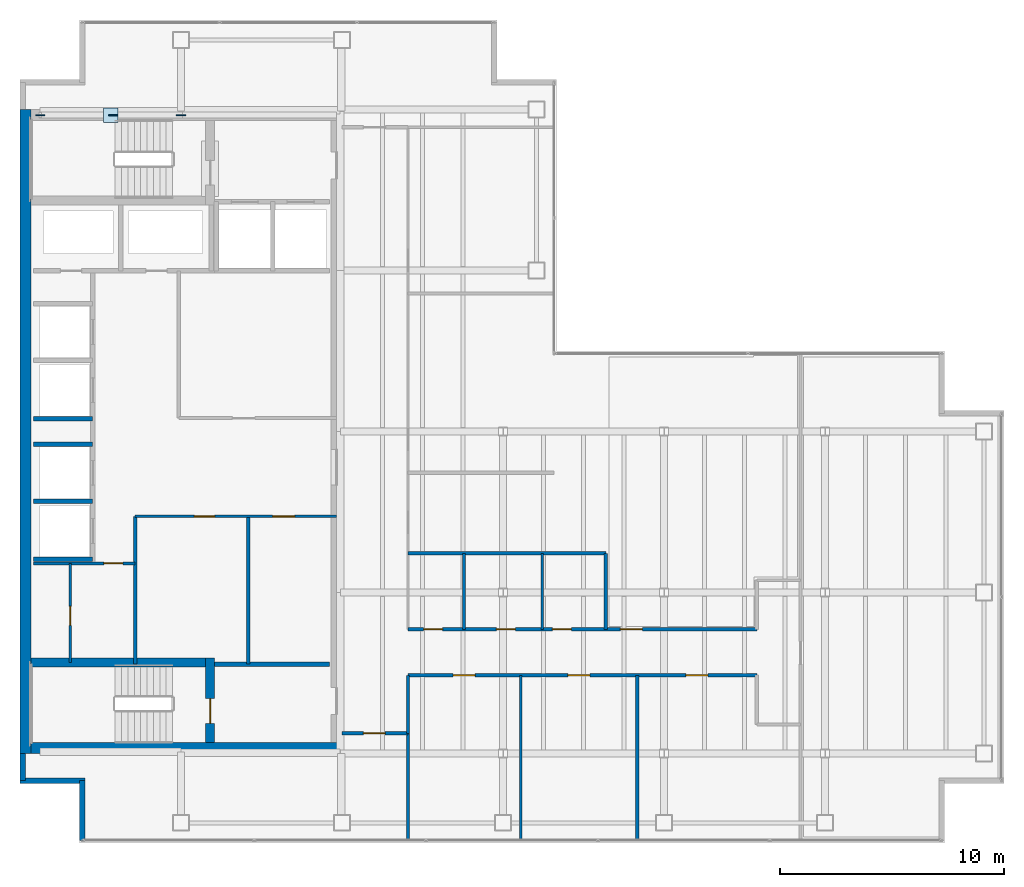
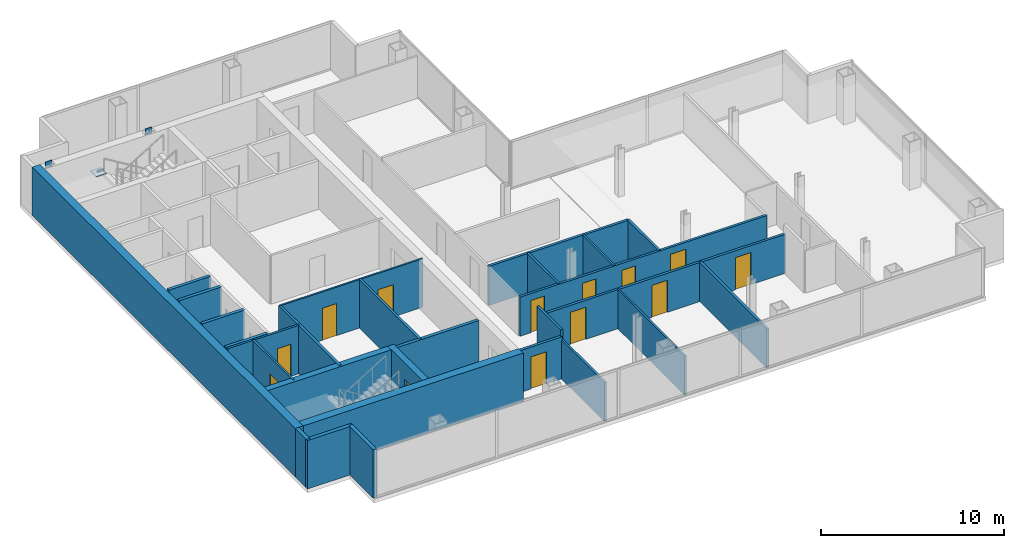
# One storey, part 20 of 23: 28 walls, 13 doors, 4 plates, 13 openings.
"""IFC4 building model written with IfcOpenShell, lengths in metres."""

from ifc_helpers import new_model, si_unit, direction, frame, frame_2d, origin, origin_2d, place, context, subcontext, project, spatial, rectangle, extrude, material, layer, layer_set, type_object, element, fill, save


model = new_model("IFC4")

# Units and contexts
model_context = context("Model", 3, precision=1e-05, world=origin(), true_north=direction((0.0, 1.0)))
body_context = subcontext(model_context, "Body", "Model", "MODEL_VIEW")
ifc_project = project(units=[si_unit("LENGTHUNIT", "METRE"), si_unit("AREAUNIT", "SQUARE_METRE"), si_unit("VOLUMEUNIT", "CUBIC_METRE"), si_unit("PLANEANGLEUNIT", "RADIAN"), si_unit("MASSUNIT", "GRAM", prefix="KILO")], contexts=[model_context])

# Site, building, storey
site_placement = place(None, origin())
site = spatial("IfcSite", under=ifc_project, at=site_placement, CompositionType="ELEMENT")
building_placement = place(site_placement, origin())
building = spatial("IfcBuilding", under=site, at=building_placement, Name="Cobrela Telecom Tower", CompositionType="ELEMENT")
storey_placement = place(building_placement, frame((0.0, 0.0, 218.75)))
storey = spatial("IfcBuildingStorey", under=building, at=storey_placement, Name="L56", CompositionType="ELEMENT", Elevation=218.75)

# Plates
ifc_material_1 = material(Name="Steel ASTM A572 Grade 50", Category="steel")
ifc_layer_1 = layer(ifc_material_1, 0.0419921875)
ifc_layer_set_1 = layer_set([ifc_layer_1], Name="Steel ASTM A572 Grade 50")
plate_type = type_object("IfcPlateType", Name="PLT-NODE-ND1", PredefinedType="USERDEFINED", material=ifc_layer_set_1)
for number, where, z_axis, x_axis, name in (
    (1, (7.199951171875, 35.75, 3.0751953125), (0.0, 0.0, 1.0), (1.0, 0.0, 0.0), "Steel node plate PLT-MBR-EXO-L56-N1-A-1"),
    (2, (4.173828125, 35.75, 1.349609375), (0.0, 0.0, 1.0), (-1.0, 0.0, 0.0), "Steel node plate PLT-MBR-EXO-L56-N1-B1-1"),
    (3, (0.89990234375, 35.75, 3.0751953125), (0.0, 0.0, 1.0), (-1.0, 0.0, 0.0), "Steel node plate PLT-MBR-EXO-L56-N1-B2-1"),
):
    element("IfcPlate", number, at=place(storey_placement, frame(where, z_axis=z_axis, x_axis=x_axis)), inside=storey, type_object=plate_type, Name=name, ObjectType="GUSSET PLATE", PredefinedType="USERDEFINED", context=body_context, shape_type="SweptSolid", body=[
        extrude(rectangle(XDim=0.409912109375, YDim=0.044921875, at=origin_2d()), origin(), (0.0, 0.0, 1.0), 0.409912109375),
    ])
plate_placement = place(storey_placement, frame((4.050048828125, 35.75, 1.59765625), z_axis=(0.0, 0.0, 1.0), x_axis=(1.0, 0.0, 0.0)))
element("IfcPlate", 4, at=plate_placement, inside=storey, type_object=plate_type, Name="L56 Core Flange Steel X-Brace Central X-Crossing Gusset Plate", ObjectType="GUSSET PLATE", PredefinedType="USERDEFINED", context=body_context, shape_type="SweptSolid", body=[
    extrude(rectangle(XDim=0.64990234375, YDim=0.64990234375, at=origin_2d()), origin(), (0.0, 0.0, 1.0), 0.044921875),
])

# Walls
ifc_material_2 = material(Name="Concrete C40/50", Category="concrete")
ifc_layer_2 = layer(ifc_material_2, 0.5)
ifc_layer_set_2 = layer_set([ifc_layer_2], Name="Concrete C40/50")
wall_type_1 = type_object("IfcWallType", Name="WALL-CORE-C40-500", PredefinedType="SHEAR", material=ifc_layer_set_2)
wall_1_placement = place(storey_placement, frame((0.25, 7.199951171875, 0.0), z_axis=(0.0, 0.0, 1.0), x_axis=(0.0, 1.0, 0.0)))
element("IfcWall", 5, at=wall_1_placement, inside=storey, type_object=wall_type_1, Name="L56 West Core Shear Wall", PredefinedType="SHEAR", context=body_context, shape_type="SweptSolid", body=[
    extrude(rectangle(XDim=28.800048828125, YDim=0.5, at=frame_2d((14.39990234375, 0.0))), origin(), (0.0, 0.0, 1.0), 3.239990234375),
])
wall_2_placement = place(storey_placement, frame((0.5, 7.449951171875, 0.0), z_axis=(0.0, 0.0, 1.0), x_axis=(1.0, 0.0, 0.0)))
element("IfcWall", 6, at=wall_2_placement, inside=storey, type_object=wall_type_1, Name="L56 South Core Shear Wall", PredefinedType="SHEAR", context=body_context, shape_type="SweptSolid", body=[
    extrude(rectangle(XDim=13.89990234375, YDim=0.5, at=frame_2d((6.949951171875, 0.0))), origin(), (0.0, 0.0, 1.0), 3.239990234375),
])
ifc_layer_3 = layer(ifc_material_2, 0.239990234375)
ifc_layer_set_3 = layer_set([ifc_layer_3], Name="Concrete C40/50")
wall_type_2 = type_object("IfcWallType", Name="WALL-EXT-300", PredefinedType="STANDARD", material=ifc_layer_set_3)
wall_3_placement = place(storey_placement, frame((2.7900390625, 3.320068359375, 0.0), z_axis=(0.0, 0.0, 1.0), x_axis=(0.0, 1.0, 0.0)))
element("IfcWall", 7, at=wall_3_placement, inside=storey, type_object=wall_type_2, Name="L56 Insulated Facade Wall 01", PredefinedType="STANDARD", context=body_context, shape_type="SweptSolid", body=[
    extrude(rectangle(XDim=2.669921875, YDim=0.239990234375, at=frame_2d((1.3349609375, 0.0))), origin(), (0.0, 0.0, 1.0), 3.239990234375),
])
wall_4_placement = place(storey_placement, frame((2.909912109375, 5.989990234375, 0.0), z_axis=(0.0, 0.0, 1.0), x_axis=(-1.0, 0.0, 0.0)))
element("IfcWall", 8, at=wall_4_placement, inside=storey, type_object=wall_type_2, Name="L56 Insulated Facade Wall 02", PredefinedType="STANDARD", context=body_context, shape_type="SweptSolid", body=[
    extrude(rectangle(XDim=2.909912109375, YDim=0.239990234375, at=frame_2d((1.455078125, 0.0))), origin(), (0.0, 0.0, 1.0), 3.239990234375),
])
wall_5_placement = place(storey_placement, frame((0.1201171875, 5.989990234375, 0.0), z_axis=(0.0, 0.0, 1.0), x_axis=(0.0, 1.0, 0.0)))
element("IfcWall", 9, at=wall_5_placement, inside=storey, type_object=wall_type_2, Name="L56 Insulated Facade Wall 03", PredefinedType="STANDARD", context=body_context, shape_type="SweptSolid", body=[
    extrude(rectangle(XDim=1.2099609375, YDim=0.239990234375, at=frame_2d((0.60498046875, 0.0))), origin(), (0.0, 0.0, 1.0), 3.239990234375),
])

# Wall, openings, doors
ifc_material_3 = material(Name="Fire-Rated Gypsum Plasterboard")
ifc_layer_4 = layer(ifc_material_3, 0.110107421875)
ifc_layer_set_4 = layer_set([ifc_layer_4], Name="Fire-Rated Gypsum Plasterboard")
wall_type_3 = type_object("IfcWallType", Name="WALL-PART-110", PredefinedType="PARTITIONING", material=ifc_layer_set_4)
wall_6_placement = place(storey_placement, frame((5.14990234375, 17.800048828125, 0.0), z_axis=(0.0, 0.0, 1.0), x_axis=(1.0, 0.0, 0.0)))
wall_6 = element("IfcWall", 10, at=wall_6_placement, inside=storey, type_object=wall_type_3, Name="L56 Interior Partition CW-RECM-N", PredefinedType="PARTITIONING", context=body_context, shape_type="SweptSolid", body=[
    extrude(rectangle(XDim=9.0, YDim=0.110107421875, at=frame_2d((4.5, 0.0))), origin(), (0.0, 0.0, 1.0), 3.239990234375),
])
opening_1_placement = place(wall_6_placement, frame((2.64990234375, 0.0, 0.0)))
opening_1 = element("IfcOpeningElement", 11, at=opening_1_placement, cuts=wall_6, Name="Opening DR-41", PredefinedType="OPENING", context=body_context, shape_type="SweptSolid", body=[
    extrude(rectangle(XDim=0.89990234375, YDim=2.14990234375, at=frame_2d((0.449951171875, 1.074951171875))), frame((0.0, 0.06689453125, 0.0), z_axis=(0.0, -1.0, 0.0), x_axis=(1.0, 0.0, 0.0)), (0.0, 0.0, 1.0), 0.134033203125),
])
opening_2_placement = place(wall_6_placement, frame((6.14990234375, 0.0, 0.0)))
opening_2 = element("IfcOpeningElement", 12, at=opening_2_placement, cuts=wall_6, Name="Opening DR-17", PredefinedType="OPENING", context=body_context, shape_type="SweptSolid", body=[
    extrude(rectangle(XDim=0.97998046875, YDim=2.14990234375, at=frame_2d((0.489990234375, 1.074951171875))), frame((0.0, 0.06689453125, 0.0), z_axis=(0.0, -1.0, 0.0), x_axis=(1.0, 0.0, 0.0)), (0.0, 0.0, 1.0), 0.134033203125),
])
ifc_material_4 = material(Name="Solid Engineered Oak Timber", Category="wood")
door_type_1 = type_object("IfcDoorType", Name="DOOR-INT-900", OperationType="SINGLE_SWING_LEFT", PredefinedType="DOOR", material=ifc_material_4)
door_1_placement = place(opening_1_placement, origin())
door_1 = element("IfcDoor", 13, at=door_1_placement, inside=storey, type_object=door_type_1, Name="L56 Door DR-41", OperationType="SINGLE_SWING_LEFT", OverallHeight=2.14990234375, OverallWidth=0.89990234375, PredefinedType="DOOR", context=body_context, shape_type="SweptSolid", body=[
    extrude(rectangle(XDim=0.89990234375, YDim=2.14990234375, at=frame_2d((0.449951171875, 1.074951171875))), frame((0.0, 0.02490234375, 0.0), z_axis=(0.0, -1.0, 0.0), x_axis=(1.0, 0.0, 0.0)), (0.0, 0.0, 1.0), 0.050048828125),
])
fill(opening_1, door_1)
door_type_2 = type_object("IfcDoorType", Name="DOOR-INT-980", OperationType="SINGLE_SWING_LEFT", PredefinedType="DOOR", material=ifc_material_4)
door_2_placement = place(opening_2_placement, origin())
door_2 = element("IfcDoor", 14, at=door_2_placement, inside=storey, type_object=door_type_2, Name="L56 Door DR-17", OperationType="SINGLE_SWING_RIGHT", OverallHeight=2.14990234375, OverallWidth=0.97998046875, PredefinedType="DOOR", context=body_context, shape_type="SweptSolid", body=[
    extrude(rectangle(XDim=0.97998046875, YDim=2.14990234375, at=frame_2d((0.489990234375, 1.074951171875))), frame((0.0, 0.02490234375, 0.0), z_axis=(0.0, -1.0, 0.0), x_axis=(1.0, 0.0, 0.0)), (0.0, 0.0, 1.0), 0.050048828125),
])
fill(opening_2, door_2)

# Wall
wall_7_placement = place(storey_placement, frame((22.39990234375, 3.320068359375, 0.0), z_axis=(0.0, 0.0, 1.0), x_axis=(0.0, 1.0, 0.0)))
element("IfcWall", 15, at=wall_7_placement, inside=storey, type_object=wall_type_3, Name="L56 Interior Partition W-SV-1", PredefinedType="PARTITIONING", context=body_context, shape_type="SweptSolid", body=[
    extrude(rectangle(XDim=7.3798828125, YDim=0.110107421875, at=frame_2d((3.68994140625, 0.0))), origin(), (0.0, 0.0, 1.0), 2.613037109375),
])

# Wall, opening, door
ifc_layer_5 = layer(ifc_material_3, 0.125)
ifc_layer_set_5 = layer_set([ifc_layer_5], Name="Fire-Rated Gypsum Plasterboard")
wall_type_4 = type_object("IfcWallType", Name="WALL-PART-125", PredefinedType="PARTITIONING", material=ifc_layer_set_5)
wall_8_placement = place(storey_placement, frame((2.25, 11.280029296875, 0.0), z_axis=(0.0, 0.0, 1.0), x_axis=(0.0, 1.0, 0.0)))
wall_8 = element("IfcWall", 16, at=wall_8_placement, inside=storey, type_object=wall_type_4, Name="L56 Interior Partition CW-FK0-V", PredefinedType="PARTITIONING", context=body_context, shape_type="SweptSolid", body=[
    extrude(rectangle(XDim=4.419921875, YDim=0.125, at=frame_2d((2.2099609375, 0.0))), origin(), (0.0, 0.0, 1.0), 3.239990234375),
])
opening_3_placement = place(wall_8_placement, frame((1.64990234375, 0.0, 0.0)))
opening_3 = element("IfcOpeningElement", 17, at=opening_3_placement, cuts=wall_8, Name="Opening DR-11", PredefinedType="OPENING", context=body_context, shape_type="SweptSolid", body=[
    extrude(rectangle(XDim=0.85009765625, YDim=2.14990234375, at=frame_2d((0.425048828125, 1.074951171875))), frame((0.0, 0.074462890625, 0.0), z_axis=(0.0, -1.0, 0.0), x_axis=(1.0, 0.0, 0.0)), (0.0, 0.0, 1.0), 0.14892578125),
])
door_type_3 = type_object("IfcDoorType", Name="DOOR-INT-850", OperationType="SINGLE_SWING_LEFT", PredefinedType="DOOR", material=ifc_material_4)
door_3_placement = place(opening_3_placement, origin())
door_3 = element("IfcDoor", 18, at=door_3_placement, inside=storey, type_object=door_type_3, Name="L56 Door DR-11", OperationType="SINGLE_SWING_LEFT", OverallHeight=2.14990234375, OverallWidth=0.85009765625, PredefinedType="DOOR", context=body_context, shape_type="SweptSolid", body=[
    extrude(rectangle(XDim=0.85009765625, YDim=2.14990234375, at=frame_2d((0.425048828125, 1.074951171875))), frame((0.0, 0.02490234375, 0.0), z_axis=(0.0, -1.0, 0.0), x_axis=(1.0, 0.0, 0.0)), (0.0, 0.0, 1.0), 0.050048828125),
])
fill(opening_3, door_3)

# Walls
for number, where, z_axis, x_axis, name in (
    (19, (19.85009765625, 12.75, 0.0), (0.0, 0.0, 1.0), (0.0, 1.0, 0.0), "L56 Interior Partition W-WCV-1"),
    (20, (23.35009765625, 12.75, 0.0), (0.0, 0.0, 1.0), (0.0, 1.0, 0.0), "L56 Interior Partition W-WCV-2"),
):
    element("IfcWall", number, at=place(storey_placement, frame(where, z_axis=z_axis, x_axis=x_axis)), inside=storey, type_object=wall_type_4, Name=name, PredefinedType="PARTITIONING", context=body_context, shape_type="SweptSolid", body=[
        extrude(rectangle(XDim=3.39990234375, YDim=0.125, at=frame_2d((1.699951171875, 0.0))), origin(), (0.0, 0.0, 1.0), 2.613037109375),
    ])

# Wall, opening, door
ifc_layer_6 = layer(ifc_material_3, 0.135009765625)
ifc_layer_set_6 = layer_set([ifc_layer_6], Name="Fire-Rated Gypsum Plasterboard")
wall_type_5 = type_object("IfcWallType", Name="WALL-PART-135", PredefinedType="PARTITIONING", material=ifc_layer_set_6)
wall_9_placement = place(storey_placement, frame((0.60009765625, 15.699951171875, 0.0), z_axis=(0.0, 0.0, 1.0), x_axis=(1.0, 0.0, 0.0)))
wall_9 = element("IfcWall", 21, at=wall_9_placement, inside=storey, type_object=wall_type_5, Name="L56 Interior Partition CW-FLEX-N", PredefinedType="PARTITIONING", context=body_context, shape_type="SweptSolid", body=[
    extrude(rectangle(XDim=4.5498046875, YDim=0.135009765625, at=frame_2d((2.27490234375, 0.0))), origin(), (0.0, 0.0, 1.0), 3.239990234375),
])
opening_4_placement = place(wall_9_placement, frame((3.14990234375, 0.0, 0.0)))
opening_4 = element("IfcOpeningElement", 22, at=opening_4_placement, cuts=wall_9, Name="Opening DR-11", PredefinedType="OPENING", context=body_context, shape_type="SweptSolid", body=[
    extrude(rectangle(XDim=0.85009765625, YDim=2.14990234375, at=frame_2d((0.425048828125, 1.074951171875))), frame((0.0, 0.07958984375, 0.0), z_axis=(0.0, -1.0, 0.0), x_axis=(1.0, 0.0, 0.0)), (0.0, 0.0, 1.0), 0.158935546875),
])
door_4_placement = place(opening_4_placement, origin())
door_4 = element("IfcDoor", 23, at=door_4_placement, inside=storey, type_object=door_type_3, Name="L56 Door DR-11", OperationType="SINGLE_SWING_RIGHT", OverallHeight=2.14990234375, OverallWidth=0.85009765625, PredefinedType="DOOR", context=body_context, shape_type="SweptSolid", body=[
    extrude(rectangle(XDim=0.85009765625, YDim=2.14990234375, at=frame_2d((0.425048828125, 1.074951171875))), frame((0.0, 0.02490234375, 0.0), z_axis=(0.0, -1.0, 0.0), x_axis=(1.0, 0.0, 0.0)), (0.0, 0.0, 1.0), 0.050048828125),
])
fill(opening_4, door_4)

# Walls
wall_10_placement = place(storey_placement, frame((17.35009765625, 8.10009765625, 0.0), z_axis=(0.0, 0.0, 1.0), x_axis=(0.0, 1.0, 0.0)))
element("IfcWall", 24, at=wall_10_placement, inside=storey, type_object=wall_type_5, Name="L56 Interior Partition W-C-E1", PredefinedType="PARTITIONING", context=body_context, shape_type="SweptSolid", body=[
    extrude(rectangle(XDim=2.599853515625, YDim=0.135009765625, at=frame_2d((1.2998046875, 0.0))), origin(), (0.0, 0.0, 1.0), 3.239990234375),
])
wall_11_placement = place(storey_placement, frame((17.35009765625, 3.320068359375, 0.0), z_axis=(0.0, 0.0, 1.0), x_axis=(0.0, 1.0, 0.0)))
element("IfcWall", 25, at=wall_11_placement, inside=storey, type_object=wall_type_5, Name="L56 Interior Partition W-SW-E", PredefinedType="PARTITIONING", context=body_context, shape_type="SweptSolid", body=[
    extrude(rectangle(XDim=4.780029296875, YDim=0.135009765625, at=frame_2d((2.39013671875, 0.0))), origin(), (0.0, 0.0, 1.0), 2.613037109375),
])
ifc_layer_7 = layer(ifc_material_3, 0.14990234375)
ifc_layer_set_7 = layer_set([ifc_layer_7], Name="Fire-Rated Gypsum Plasterboard")
wall_type_6 = type_object("IfcWallType", Name="WALL-PART-150", PredefinedType="PARTITIONING", material=ifc_layer_set_7)
wall_12_placement = place(storey_placement, frame((10.199951171875, 11.199951171875, 0.0), z_axis=(0.0, 0.0, 1.0), x_axis=(0.0, 1.0, 0.0)))
element("IfcWall", 26, at=wall_12_placement, inside=storey, type_object=wall_type_6, Name="L56 Interior Partition CW-RECM-V", PredefinedType="PARTITIONING", context=body_context, shape_type="SweptSolid", body=[
    extrude(rectangle(XDim=6.60009765625, YDim=0.14990234375, at=frame_2d((3.300048828125, 0.0))), origin(), (0.0, 0.0, 1.0), 3.239990234375),
])

# Wall, openings, doors
wall_13_placement = place(storey_placement, frame((17.35009765625, 12.75, 0.0), z_axis=(0.0, 0.0, 1.0), x_axis=(1.0, 0.0, 0.0)))
wall_13 = element("IfcWall", 27, at=wall_13_placement, inside=storey, type_object=wall_type_6, Name="L56 Interior Partition W-C-HN", PredefinedType="PARTITIONING", context=body_context, shape_type="SweptSolid", body=[
    extrude(rectangle(XDim=15.599853515625, YDim=0.14990234375, at=frame_2d((7.7998046875, 0.0))), origin(), (0.0, 0.0, 1.0), 2.613037109375),
])
opening_5_placement = place(wall_13_placement, frame((0.699951171875, 0.0, 0.0)))
opening_5 = element("IfcOpeningElement", 28, at=opening_5_placement, cuts=wall_13, Name="Opening DR-11", PredefinedType="OPENING", context=body_context, shape_type="SweptSolid", body=[
    extrude(rectangle(XDim=0.85009765625, YDim=2.14990234375, at=frame_2d((0.425048828125, 1.074951171875))), frame((0.0, 0.0869140625, 0.0), z_axis=(0.0, -1.0, 0.0), x_axis=(1.0, 0.0, 0.0)), (0.0, 0.0, 1.0), 0.173828125),
])
opening_6_placement = place(wall_13_placement, frame((3.949951171875, 0.0, 0.0)))
opening_6 = element("IfcOpeningElement", 29, at=opening_6_placement, cuts=wall_13, Name="Opening DR-11", PredefinedType="OPENING", context=body_context, shape_type="SweptSolid", body=[
    extrude(rectangle(XDim=0.85009765625, YDim=2.14990234375, at=frame_2d((0.425048828125, 1.074951171875))), frame((0.0, 0.0869140625, 0.0), z_axis=(0.0, -1.0, 0.0), x_axis=(1.0, 0.0, 0.0)), (0.0, 0.0, 1.0), 0.173828125),
])
opening_7_placement = place(wall_13_placement, frame((6.4599609375, 0.0, 0.0)))
opening_7 = element("IfcOpeningElement", 30, at=opening_7_placement, cuts=wall_13, Name="Opening DR-11", PredefinedType="OPENING", context=body_context, shape_type="SweptSolid", body=[
    extrude(rectangle(XDim=0.85009765625, YDim=2.14990234375, at=frame_2d((0.425048828125, 1.074951171875))), frame((0.0, 0.0869140625, 0.0), z_axis=(0.0, -1.0, 0.0), x_axis=(1.0, 0.0, 0.0)), (0.0, 0.0, 1.0), 0.173828125),
])
opening_8_placement = place(wall_13_placement, frame((9.5, 0.0, 0.0)))
opening_8 = element("IfcOpeningElement", 31, at=opening_8_placement, cuts=wall_13, Name="Opening DR-17", PredefinedType="OPENING", context=body_context, shape_type="SweptSolid", body=[
    extrude(rectangle(XDim=0.97998046875, YDim=2.14990234375, at=frame_2d((0.489990234375, 1.074951171875))), frame((0.0, 0.0869140625, 0.0), z_axis=(0.0, -1.0, 0.0), x_axis=(1.0, 0.0, 0.0)), (0.0, 0.0, 1.0), 0.173828125),
])
door_5_placement = place(opening_5_placement, origin())
door_5 = element("IfcDoor", 32, at=door_5_placement, inside=storey, type_object=door_type_3, Name="L56 Door DR-11", OperationType="SINGLE_SWING_LEFT", OverallHeight=2.14990234375, OverallWidth=0.85009765625, PredefinedType="DOOR", context=body_context, shape_type="SweptSolid", body=[
    extrude(rectangle(XDim=0.85009765625, YDim=2.14990234375, at=frame_2d((0.425048828125, 1.074951171875))), frame((0.0, 0.02490234375, 0.0), z_axis=(0.0, -1.0, 0.0), x_axis=(1.0, 0.0, 0.0)), (0.0, 0.0, 1.0), 0.050048828125),
])
fill(opening_5, door_5)
door_6_placement = place(opening_6_placement, origin())
door_6 = element("IfcDoor", 33, at=door_6_placement, inside=storey, type_object=door_type_3, Name="L56 Door DR-11", OperationType="SINGLE_SWING_RIGHT", OverallHeight=2.14990234375, OverallWidth=0.85009765625, PredefinedType="DOOR", context=body_context, shape_type="SweptSolid", body=[
    extrude(rectangle(XDim=0.85009765625, YDim=2.14990234375, at=frame_2d((0.425048828125, 1.074951171875))), frame((0.0, 0.02490234375, 0.0), z_axis=(0.0, -1.0, 0.0), x_axis=(1.0, 0.0, 0.0)), (0.0, 0.0, 1.0), 0.050048828125),
])
fill(opening_6, door_6)
door_7_placement = place(opening_7_placement, origin())
door_7 = element("IfcDoor", 34, at=door_7_placement, inside=storey, type_object=door_type_3, Name="L56 Door DR-11", OperationType="SINGLE_SWING_LEFT", OverallHeight=2.14990234375, OverallWidth=0.85009765625, PredefinedType="DOOR", context=body_context, shape_type="SweptSolid", body=[
    extrude(rectangle(XDim=0.85009765625, YDim=2.14990234375, at=frame_2d((0.425048828125, 1.074951171875))), frame((0.0, 0.02490234375, 0.0), z_axis=(0.0, -1.0, 0.0), x_axis=(1.0, 0.0, 0.0)), (0.0, 0.0, 1.0), 0.050048828125),
])
fill(opening_7, door_7)
door_8_placement = place(opening_8_placement, origin())
door_8 = element("IfcDoor", 35, at=door_8_placement, inside=storey, type_object=door_type_2, Name="L56 Door DR-17", OperationType="SINGLE_SWING_RIGHT", OverallHeight=2.14990234375, OverallWidth=0.97998046875, PredefinedType="DOOR", context=body_context, shape_type="SweptSolid", body=[
    extrude(rectangle(XDim=0.97998046875, YDim=2.14990234375, at=frame_2d((0.489990234375, 1.074951171875))), frame((0.0, 0.02490234375, 0.0), z_axis=(0.0, -1.0, 0.0), x_axis=(1.0, 0.0, 0.0)), (0.0, 0.0, 1.0), 0.050048828125),
])
fill(opening_8, door_8)

# Walls
wall_14_placement = place(storey_placement, frame((26.199951171875, 12.75, 0.0), z_axis=(0.0, 0.0, 1.0), x_axis=(0.0, 1.0, 0.0)))
element("IfcWall", 36, at=wall_14_placement, inside=storey, type_object=wall_type_6, Name="L56 Interior Partition W-WC-R", PredefinedType="PARTITIONING", context=body_context, shape_type="SweptSolid", body=[
    extrude(rectangle(XDim=3.39990234375, YDim=0.14990234375, at=frame_2d((1.699951171875, 0.0))), origin(), (0.0, 0.0, 1.0), 2.613037109375),
])
ifc_layer_8 = layer(ifc_material_3, 0.159912109375)
ifc_layer_set_8 = layer_set([ifc_layer_8], Name="Fire-Rated Gypsum Plasterboard")
wall_type_7 = type_object("IfcWallType", Name="WALL-PART-160", PredefinedType="PARTITIONING", material=ifc_layer_set_8)
wall_15_placement = place(storey_placement, frame((5.14990234375, 11.199951171875, 0.0), z_axis=(0.0, 0.0, 1.0), x_axis=(0.0, 1.0, 0.0)))
element("IfcWall", 37, at=wall_15_placement, inside=storey, type_object=wall_type_7, Name="L56 Interior Partition CW-RECM-W", PredefinedType="PARTITIONING", context=body_context, shape_type="SweptSolid", body=[
    extrude(rectangle(XDim=6.60009765625, YDim=0.159912109375, at=frame_2d((3.300048828125, 0.0))), origin(), (0.0, 0.0, 1.0), 3.239990234375),
])

# Wall, opening, door
wall_16_placement = place(storey_placement, frame((14.39990234375, 8.10009765625, 0.0), z_axis=(0.0, 0.0, 1.0), x_axis=(1.0, 0.0, 0.0)))
wall_16 = element("IfcWall", 38, at=wall_16_placement, inside=storey, type_object=wall_type_7, Name="L56 Interior Partition W-C-S0", PredefinedType="PARTITIONING", context=body_context, shape_type="SweptSolid", body=[
    extrude(rectangle(XDim=2.9501953125, YDim=0.159912109375, at=frame_2d((1.47509765625, 0.0))), origin(), (0.0, 0.0, 1.0), 2.80810546875),
])
opening_9_placement = place(wall_16_placement, frame((0.949951171875, 0.0, 0.0)))
opening_9 = element("IfcOpeningElement", 39, at=opening_9_placement, cuts=wall_16, Name="Opening DR-17", PredefinedType="OPENING", context=body_context, shape_type="SweptSolid", body=[
    extrude(rectangle(XDim=0.97998046875, YDim=2.14990234375, at=frame_2d((0.489990234375, 1.074951171875))), frame((0.0, 0.091796875, 0.0), z_axis=(0.0, -1.0, 0.0), x_axis=(1.0, 0.0, 0.0)), (0.0, 0.0, 1.0), 0.183837890625),
])
door_9_placement = place(opening_9_placement, origin())
door_9 = element("IfcDoor", 40, at=door_9_placement, inside=storey, type_object=door_type_2, Name="L56 Door DR-17", OperationType="SINGLE_SWING_RIGHT", OverallHeight=2.14990234375, OverallWidth=0.97998046875, PredefinedType="DOOR", context=body_context, shape_type="SweptSolid", body=[
    extrude(rectangle(XDim=0.97998046875, YDim=2.14990234375, at=frame_2d((0.489990234375, 1.074951171875))), frame((0.0, 0.02490234375, 0.0), z_axis=(0.0, -1.0, 0.0), x_axis=(1.0, 0.0, 0.0)), (0.0, 0.0, 1.0), 0.050048828125),
])
fill(opening_9, door_9)

# Wall, openings, doors
wall_17_placement = place(storey_placement, frame((17.35009765625, 10.699951171875, 0.0), z_axis=(0.0, 0.0, 1.0), x_axis=(1.0, 0.0, 0.0)))
wall_17 = element("IfcWall", 41, at=wall_17_placement, inside=storey, type_object=wall_type_7, Name="L56 Interior Partition W-C-HS", PredefinedType="PARTITIONING", context=body_context, shape_type="SweptSolid", body=[
    extrude(rectangle(XDim=15.599853515625, YDim=0.159912109375, at=frame_2d((7.7998046875, 0.0))), origin(), (0.0, 0.0, 1.0), 2.613037109375),
])
opening_10_placement = place(wall_17_placement, frame((2.02001953125, 0.0, 0.0)))
opening_10 = element("IfcOpeningElement", 42, at=opening_10_placement, cuts=wall_17, Name="Opening DR-17", PredefinedType="OPENING", context=body_context, shape_type="SweptSolid", body=[
    extrude(rectangle(XDim=0.97998046875, YDim=2.14990234375, at=frame_2d((0.489990234375, 1.074951171875))), frame((0.0, 0.091796875, 0.0), z_axis=(0.0, -1.0, 0.0), x_axis=(1.0, 0.0, 0.0)), (0.0, 0.0, 1.0), 0.183837890625),
])
opening_11_placement = place(wall_17_placement, frame((7.14990234375, 0.0, 0.0)))
opening_11 = element("IfcOpeningElement", 43, at=opening_11_placement, cuts=wall_17, Name="Opening DR-17", PredefinedType="OPENING", context=body_context, shape_type="SweptSolid", body=[
    extrude(rectangle(XDim=0.97998046875, YDim=2.14990234375, at=frame_2d((0.489990234375, 1.074951171875))), frame((0.0, 0.091796875, 0.0), z_axis=(0.0, -1.0, 0.0), x_axis=(1.0, 0.0, 0.0)), (0.0, 0.0, 1.0), 0.183837890625),
])
opening_12_placement = place(wall_17_placement, frame((12.429931640625, 0.0, 0.0)))
opening_12 = element("IfcOpeningElement", 44, at=opening_12_placement, cuts=wall_17, Name="Opening DR-17", PredefinedType="OPENING", context=body_context, shape_type="SweptSolid", body=[
    extrude(rectangle(XDim=0.97998046875, YDim=2.14990234375, at=frame_2d((0.489990234375, 1.074951171875))), frame((0.0, 0.091796875, 0.0), z_axis=(0.0, -1.0, 0.0), x_axis=(1.0, 0.0, 0.0)), (0.0, 0.0, 1.0), 0.183837890625),
])
door_10_placement = place(opening_10_placement, origin())
door_10 = element("IfcDoor", 45, at=door_10_placement, inside=storey, type_object=door_type_2, Name="L56 Door DR-17", OperationType="SINGLE_SWING_LEFT", OverallHeight=2.14990234375, OverallWidth=0.97998046875, PredefinedType="DOOR", context=body_context, shape_type="SweptSolid", body=[
    extrude(rectangle(XDim=0.97998046875, YDim=2.14990234375, at=frame_2d((0.489990234375, 1.074951171875))), frame((0.0, 0.02490234375, 0.0), z_axis=(0.0, -1.0, 0.0), x_axis=(1.0, 0.0, 0.0)), (0.0, 0.0, 1.0), 0.050048828125),
])
fill(opening_10, door_10)
door_11_placement = place(opening_11_placement, origin())
door_11 = element("IfcDoor", 46, at=door_11_placement, inside=storey, type_object=door_type_2, Name="L56 Door DR-17", OperationType="SINGLE_SWING_RIGHT", OverallHeight=2.14990234375, OverallWidth=0.97998046875, PredefinedType="DOOR", context=body_context, shape_type="SweptSolid", body=[
    extrude(rectangle(XDim=0.97998046875, YDim=2.14990234375, at=frame_2d((0.489990234375, 1.074951171875))), frame((0.0, 0.02490234375, 0.0), z_axis=(0.0, -1.0, 0.0), x_axis=(1.0, 0.0, 0.0)), (0.0, 0.0, 1.0), 0.050048828125),
])
fill(opening_11, door_11)
door_12_placement = place(opening_12_placement, origin())
door_12 = element("IfcDoor", 47, at=door_12_placement, inside=storey, type_object=door_type_2, Name="L56 Door DR-17", OperationType="SINGLE_SWING_LEFT", OverallHeight=2.14990234375, OverallWidth=0.97998046875, PredefinedType="DOOR", context=body_context, shape_type="SweptSolid", body=[
    extrude(rectangle(XDim=0.97998046875, YDim=2.14990234375, at=frame_2d((0.489990234375, 1.074951171875))), frame((0.0, 0.02490234375, 0.0), z_axis=(0.0, -1.0, 0.0), x_axis=(1.0, 0.0, 0.0)), (0.0, 0.0, 1.0), 0.050048828125),
])
fill(opening_12, door_12)

# Walls
wall_18_placement = place(storey_placement, frame((17.35009765625, 16.14990234375, 0.0), z_axis=(0.0, 0.0, 1.0), x_axis=(1.0, 0.0, 0.0)))
element("IfcWall", 48, at=wall_18_placement, inside=storey, type_object=wall_type_7, Name="L56 Interior Partition W-WC-N", PredefinedType="PARTITIONING", context=body_context, shape_type="SweptSolid", body=[
    extrude(rectangle(XDim=8.849853515625, YDim=0.159912109375, at=frame_2d((4.4248046875, 0.0))), origin(), (0.0, 0.0, 1.0), 2.613037109375),
])
wall_19_placement = place(storey_placement, frame((27.60009765625, 3.320068359375, 0.0), z_axis=(0.0, 0.0, 1.0), x_axis=(0.0, 1.0, 0.0)))
element("IfcWall", 49, at=wall_19_placement, inside=storey, type_object=wall_type_7, Name="L56 Interior Partition W-SV-2", PredefinedType="PARTITIONING", context=body_context, shape_type="SweptSolid", body=[
    extrude(rectangle(XDim=7.3798828125, YDim=0.159912109375, at=frame_2d((3.68994140625, 0.0))), origin(), (0.0, 0.0, 1.0), 2.613037109375),
])
ifc_layer_9 = layer(ifc_material_3, 0.199951171875)
ifc_layer_set_9 = layer_set([ifc_layer_9], Name="Fire-Rated Gypsum Plasterboard")
wall_type_8 = type_object("IfcWallType", Name="WALL-SHAFT-200", PredefinedType="PARTITIONING", material=ifc_layer_set_9)
wall_20_placement = place(storey_placement, frame((8.699951171875, 11.199951171875, 0.0), z_axis=(0.0, 0.0, 1.0), x_axis=(1.0, 0.0, 0.0)))
element("IfcWall", 50, at=wall_20_placement, inside=storey, type_object=wall_type_8, Name="L56 Shaft Enclosure CW-ST2L-N", PredefinedType="PARTITIONING", context=body_context, shape_type="SweptSolid", body=[
    extrude(rectangle(XDim=5.150146484375, YDim=0.199951171875, at=frame_2d((2.5751953125, 0.0))), origin(), (0.0, 0.0, 1.0), 3.239990234375),
])
for number, where, z_axis, x_axis, name in (
    (51, (0.60009765625, 15.8798828125, 0.0), (0.0, 0.0, 1.0), (1.0, 0.0, 0.0), "L56 Shaft Enclosure CW-PLH-D9"),
    (52, (0.60009765625, 18.47998046875, 0.0), (0.0, 0.0, 1.0), (1.0, 0.0, 0.0), "L56 Shaft Enclosure CW-PLH-D10"),
    (53, (0.60009765625, 22.179931640625, 0.0), (0.0, 0.0, 1.0), (1.0, 0.0, 0.0), "L56 Shaft Enclosure CW-PLH-D11"),
    (54, (0.60009765625, 21.02001953125, 0.0), (0.0, 0.0, 1.0), (1.0, 0.0, 0.0), "L56 Shaft Enclosure CW-PLH-MID"),
):
    element("IfcWall", number, at=place(storey_placement, frame(where, z_axis=z_axis, x_axis=x_axis)), inside=storey, type_object=wall_type_8, Name=name, PredefinedType="PARTITIONING", context=body_context, shape_type="SweptSolid", body=[
        extrude(rectangle(XDim=2.64990234375, YDim=0.199951171875, at=frame_2d((1.324951171875, 0.0))), origin(), (0.0, 0.0, 1.0), 3.239990234375),
    ])
ifc_layer_10 = layer(ifc_material_2, 0.39990234375)
ifc_layer_set_10 = layer_set([ifc_layer_10], Name="Concrete C40/50")
wall_type_9 = type_object("IfcWallType", Name="WALL-SHAFT-C40-400", PredefinedType="SHEAR", material=ifc_layer_set_10)
wall_21_placement = place(storey_placement, frame((0.5, 11.280029296875, 0.0), z_axis=(0.0, 0.0, 1.0), x_axis=(1.0, 0.0, 0.0)))
element("IfcWall", 55, at=wall_21_placement, inside=storey, type_object=wall_type_9, Name="L56 South Stair Shear Wall", PredefinedType="SHEAR", context=body_context, shape_type="SweptSolid", body=[
    extrude(rectangle(XDim=7.800048828125, YDim=0.39990234375, at=frame_2d((3.89990234375, 0.0))), origin(), (0.0, 0.0, 1.0), 3.239990234375),
])

# Wall, opening, door
wall_22_placement = place(storey_placement, frame((8.5, 7.699951171875, 0.0), z_axis=(0.0, 0.0, 1.0), x_axis=(0.0, 1.0, 0.0)))
wall_22 = element("IfcWall", 56, at=wall_22_placement, inside=storey, type_object=wall_type_9, Name="L56 South Stair Lobby Shear Wall", PredefinedType="SHEAR", context=body_context, shape_type="SweptSolid", body=[
    extrude(rectangle(XDim=3.780029296875, YDim=0.39990234375, at=frame_2d((1.89013671875, 0.0))), origin(), (0.0, 0.0, 1.0), 3.239990234375),
])
opening_13_placement = place(wall_22_placement, frame((0.85009765625, 0.0, 0.0)))
opening_13 = element("IfcOpeningElement", 57, at=opening_13_placement, cuts=wall_22, Name="Opening FD-90", PredefinedType="OPENING", context=body_context, shape_type="SweptSolid", body=[
    extrude(rectangle(XDim=1.10009765625, YDim=2.14990234375, at=frame_2d((0.550048828125, 1.074951171875))), frame((0.0, 0.2119140625, 0.0), z_axis=(0.0, -1.0, 0.0), x_axis=(1.0, 0.0, 0.0)), (0.0, 0.0, 1.0), 0.423828125),
])
ifc_material_5 = material(Name="Steel ASTM A36", Category="steel")
door_type_4 = type_object("IfcDoorType", Name="DOOR-FD90-1100", OperationType="SINGLE_SWING_LEFT", PredefinedType="DOOR", material=ifc_material_5)
door_13_placement = place(opening_13_placement, origin())
door_13 = element("IfcDoor", 58, at=door_13_placement, inside=storey, type_object=door_type_4, Name="L56 Door FD-90", OperationType="SINGLE_SWING_LEFT", OverallHeight=2.14990234375, OverallWidth=1.10009765625, PredefinedType="DOOR", context=body_context, shape_type="SweptSolid", body=[
    extrude(rectangle(XDim=1.10009765625, YDim=2.14990234375, at=frame_2d((0.550048828125, 1.074951171875))), frame((0.0, 0.02490234375, 0.0), z_axis=(0.0, -1.0, 0.0), x_axis=(1.0, 0.0, 0.0)), (0.0, 0.0, 1.0), 0.050048828125),
])
fill(opening_13, door_13)

save(model, "model.ifc")
